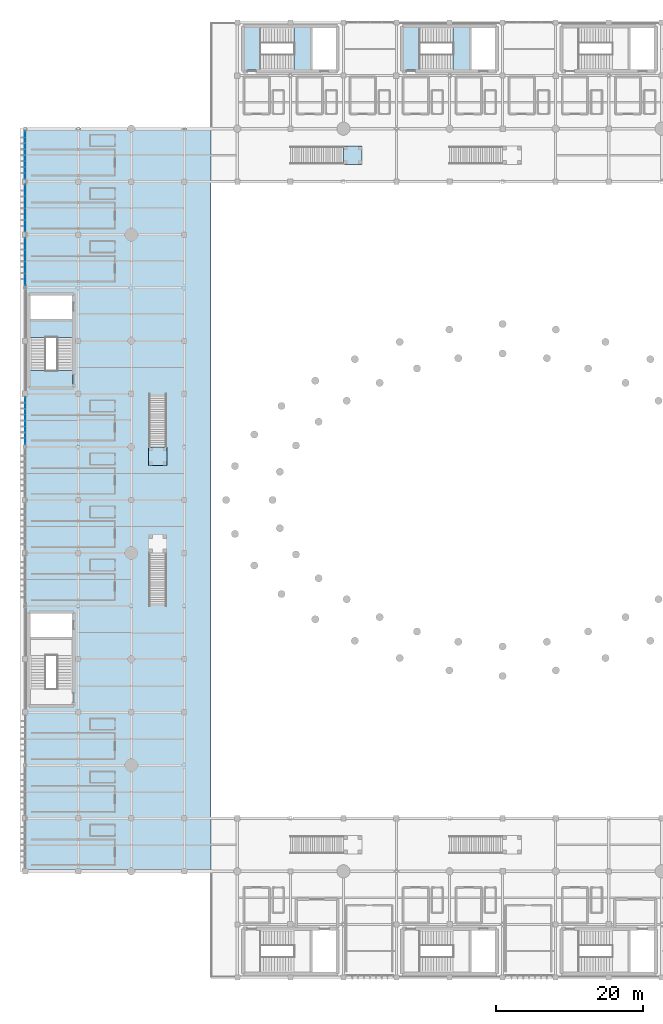
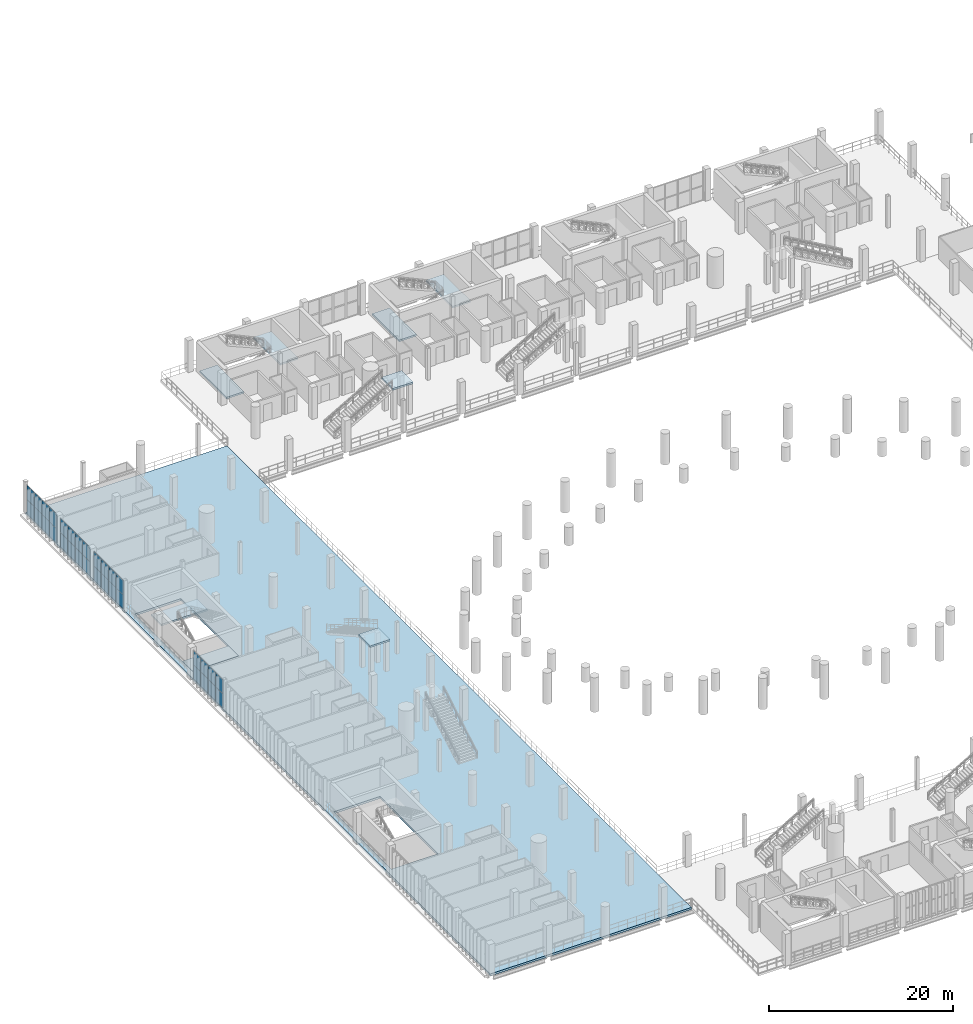
# One storey, part 93 of 130: 32 plates, 9 slabs, 9 elements without a shape of their own.
"""IFC4 building model written with IfcOpenShell, lengths in metres."""

import ifcopenshell
import ifcopenshell.guid

model = None  # the IFC model being written
_history = None  # IfcOwnerHistory: only IFC2X3 demands one
_inside = {}  # id of a spatial element -> (the spatial element, [elements in it])
_under = {}  # id of a project, library or spatial element -> (it, [spatial elements below it])
_declared = {}  # id of a project -> (the project, [libraries it declares])
_typed = {}  # id of a type object -> (the type object, [elements of that type])
_made_of = {}  # id of a material, layer set ... -> (it, [elements and type objects made of it])


def new_model(schema):
    """Start an empty IFC model of exactly this schema.

    Asked for "IFC4X3", IfcOpenShell would pick the latest addendum, in which some entities
    have other attributes; the version numbers below select the first issue.
    IFC2X3 requires an IfcOwnerHistory on every rooted entity: one is made here for all.
    """
    global model, _history
    if schema == "IFC4X3":
        model = ifcopenshell.file(schema_version=(4, 3, 0, 0))
    else:
        model = ifcopenshell.file(schema=schema)
    _inside.clear()
    _under.clear()
    _declared.clear()
    _typed.clear()
    _made_of.clear()
    _history = None
    if model.schema == "IFC2X3":
        org = make("IfcOrganization", Name="unknown")
        user = make(
            "IfcPersonAndOrganization",
            ThePerson=make("IfcPerson", FamilyName="unknown"),
            TheOrganization=org,
        )
        app = make(
            "IfcApplication",
            ApplicationDeveloper=org,
            Version="unknown",
            ApplicationFullName="unknown",
            ApplicationIdentifier="unknown",
        )
        _history = make(
            "IfcOwnerHistory",
            OwningUser=user,
            OwningApplication=app,
            ChangeAction="ADDED",
            CreationDate=0,
        )
    return model


def make(cls, **values):
    """One entity of the class cls with the attributes given. An attribute that is None is left unset."""
    return model.create_entity(
        cls, **{name: value for name, value in values.items() if value is not None}
    )


def rooted(cls, **values):
    """An entity with a GlobalId (a new one), such as an element, a storey or a relation."""
    return make(cls, GlobalId=ifcopenshell.guid.new(), OwnerHistory=_history, **values)


def si_unit(unit_type, name, prefix=None):
    """IfcSIUnit, for example si_unit("LENGTHUNIT", "METRE", prefix="MILLI")."""
    return make("IfcSIUnit", UnitType=unit_type, Prefix=prefix, Name=name)


def assignment(units):
    """IfcUnitAssignment: the units of a project."""
    return None if units is None else make("IfcUnitAssignment", Units=units)


def point(xyz):
    """IfcCartesianPoint."""
    return None if xyz is None else make("IfcCartesianPoint", Coordinates=xyz)


def direction(xyz):
    """IfcDirection."""
    return None if xyz is None else make("IfcDirection", DirectionRatios=xyz)


def frame(location, z_axis=None, x_axis=None):
    """IfcAxis2Placement3D, a coordinate frame: its origin and axes. An axis left out is left unset."""
    return make(
        "IfcAxis2Placement3D",
        Location=point(location),
        Axis=direction(z_axis),
        RefDirection=direction(x_axis),
    )


def frame_2d(location, x_axis=None):
    """IfcAxis2Placement2D, a coordinate frame in the plane: its origin and x axis."""
    return make(
        "IfcAxis2Placement2D", Location=point(location), RefDirection=direction(x_axis)
    )


def origin():
    """The frame at (0, 0, 0) with its axes left unset."""
    return frame((0.0, 0.0, 0.0))


def origin_2d():
    """The frame at (0, 0) in the plane with its x axis left unset."""
    return frame_2d((0.0, 0.0))


def place(relative_to, where):
    """IfcLocalPlacement: puts the frame where relative to a parent placement (None: the world)."""
    return make(
        "IfcLocalPlacement", PlacementRelTo=relative_to, RelativePlacement=where
    )


def context(
    kind, dimensions, precision=None, world=None, true_north=None, identifier=None
):
    """IfcGeometricRepresentationContext, for example the 3D "Model" context."""
    return make(
        "IfcGeometricRepresentationContext",
        ContextIdentifier=identifier,
        ContextType=kind,
        CoordinateSpaceDimension=dimensions,
        Precision=precision,
        WorldCoordinateSystem=world,
        TrueNorth=true_north,
    )


def subcontext(parent, identifier, kind, view, scale=None):
    """IfcGeometricRepresentationSubContext, for example "Body" below "Model"."""
    return make(
        "IfcGeometricRepresentationSubContext",
        ContextIdentifier=identifier,
        ContextType=kind,
        ParentContext=parent,
        TargetScale=scale,
        TargetView=view,
    )


def project(units=None, contexts=None):
    """IfcProject with its units and contexts."""
    return rooted(
        "IfcProject",
        Name="project",
        RepresentationContexts=contexts,
        UnitsInContext=assignment(units),
    )


def spatial(cls, under=None, at=None, **own):
    """A site, building, storey or space (cls), placed at a placement, below another one or the project."""
    s = rooted(cls, ObjectPlacement=at, **own)
    if under is not None:
        _under.setdefault(under.id(), (under, []))[1].append(s)
    return s


def polyline(points):
    """IfcPolyline through the points."""
    return make("IfcPolyline", Points=[point(p) for p in points])


def profile(cls, at=None, kind="AREA", **sizes):
    """A parametric profile (cls). Its sizes go by their IFC names, for example OverallWidth=200.0."""
    return make(cls, ProfileType=kind, Position=at, **sizes)


def rectangle(**sizes):
    """IfcRectangleProfileDef."""
    return profile("IfcRectangleProfileDef", **sizes)


def outline(outer, holes=None, kind="AREA"):
    """IfcArbitraryClosedProfileDef: a profile drawn as a closed curve; with holes, ...WithVoids."""
    if holes is None:
        return make("IfcArbitraryClosedProfileDef", ProfileType=kind, OuterCurve=outer)
    return make(
        "IfcArbitraryProfileDefWithVoids",
        ProfileType=kind,
        OuterCurve=outer,
        InnerCurves=holes,
    )


def extrude(swept, where, along, depth):
    """IfcExtrudedAreaSolid: the profile swept, set in the frame where, extruded along a direction by depth."""
    return make(
        "IfcExtrudedAreaSolid",
        SweptArea=swept,
        Position=where,
        ExtrudedDirection=direction(along),
        Depth=depth,
    )


def shape(context_of_items, identifier, shape_type, items):
    """IfcShapeRepresentation: the items that make up one representation, for example the "Body"."""
    return make(
        "IfcShapeRepresentation",
        ContextOfItems=context_of_items,
        RepresentationIdentifier=identifier,
        RepresentationType=shape_type,
        Items=items,
    )


def material(Name=None, Category=None):
    """IfcMaterial."""
    return make("IfcMaterial", Name=Name, Category=Category)


def layer(
    of_material, thickness, ventilated=None, Name=None, Category=None, Priority=None
):
    """IfcMaterialLayer: one layer of a wall or slab, of a material (None: an air gap)."""
    return make(
        "IfcMaterialLayer",
        Material=of_material,
        LayerThickness=thickness,
        IsVentilated=ventilated,
        Name=Name,
        Category=Category,
        Priority=Priority,
    )


def layer_set(layers, Name=None):
    """IfcMaterialLayerSet."""
    return make("IfcMaterialLayerSet", MaterialLayers=layers, LayerSetName=Name)


def made_of(thing, what):
    """Note that an element or type object is made of a material, layer set ...; save() writes the relation."""
    if what is not None:
        _made_of.setdefault(what.id(), (what, []))[1].append(thing)
    return thing


def type_object(cls, material=None, **own):
    """A type object (cls), such as IfcWallType, which elements share."""
    return made_of(rooted(cls, **own), material)


def element(
    cls,
    number,
    at=None,
    inside=None,
    cuts=None,
    type_object=None,
    material=None,
    context=None,
    identifier="Body",
    shape_type=None,
    held_by="IfcProductDefinitionShape",
    body=None,
    shapes=None,
    **own,
):
    """One element of the class cls, such as IfcWall. Its Tag is "e" and its number.

    at: its placement. inside: the storey or other place that contains it. cuts: it is an
    opening in that element (IfcRelVoidsElement). A single representation is given by context,
    identifier, shape_type and body (its items); several are given by shapes. held_by: the class
    of the entity that holds the representations. save() writes the other relations.
    """
    e = rooted(cls, Tag="e%d" % number, ObjectPlacement=at, **own)
    if body is not None:
        shapes = [shape(context, identifier, shape_type, body)]
    if shapes is not None:
        e.Representation = make(held_by, Representations=shapes)
    if inside is not None:
        _inside.setdefault(inside.id(), (inside, []))[1].append(e)
    if cuts is not None:
        rooted(
            "IfcRelVoidsElement", RelatingBuildingElement=cuts, RelatedOpeningElement=e
        )
    if type_object is not None:
        _typed.setdefault(type_object.id(), (type_object, []))[1].append(e)
    return made_of(e, material)


def aggregate(whole, parts):
    """IfcRelAggregates: a whole, such as a stair, and the parts it consists of."""
    return rooted("IfcRelAggregates", RelatingObject=whole, RelatedObjects=parts)


def save(model, path):
    """Write the relations noted so far, then the file.

    IfcRelAggregates (storeys below a building ...), IfcRelContainedInSpatialStructure (elements
    in a storey), IfcRelDefinesByType, IfcRelAssociatesMaterial and IfcRelDeclares: one each for
    every whole, place, type object, material and project.
    """
    for whole, parts in _under.values():
        aggregate(whole, parts)
    for where, things in _inside.values():
        rooted(
            "IfcRelContainedInSpatialStructure",
            RelatedElements=things,
            RelatingStructure=where,
        )
    for kind, things in _typed.values():
        rooted("IfcRelDefinesByType", RelatedObjects=things, RelatingType=kind)
    for what, things in _made_of.values():
        rooted("IfcRelAssociatesMaterial", RelatedObjects=things, RelatingMaterial=what)
    for by, libraries in _declared.values():
        rooted("IfcRelDeclares", RelatingContext=by, RelatedDefinitions=libraries)
    model.write(path)


model = new_model("IFC4")

# Units and contexts
model_context = context("Model", 3, precision=1e-05, world=origin(), true_north=direction((0.0, 1.0)))
body_context = subcontext(model_context, "Body", "Model", "MODEL_VIEW")
ifc_project = project(units=[si_unit("LENGTHUNIT", "METRE"), si_unit("AREAUNIT", "SQUARE_METRE"), si_unit("VOLUMEUNIT", "CUBIC_METRE"), si_unit("PLANEANGLEUNIT", "RADIAN"), si_unit("MASSUNIT", "GRAM", prefix="KILO")], contexts=[model_context])

# Site, building, storey
site_placement = place(None, origin())
site = spatial("IfcSite", under=ifc_project, at=site_placement, CompositionType="ELEMENT")
building_placement = place(site_placement, origin())
building = spatial("IfcBuilding", under=site, at=building_placement, Name="Qandorah Velis Arena", CompositionType="ELEMENT")
storey_placement = place(building_placement, frame((0.0, 0.0, 9.60009765625)))
storey = spatial("IfcBuildingStorey", under=building, at=storey_placement, Name="L02", CompositionType="ELEMENT", Elevation=9.60009765625)

# Curtain wall, plates
ifc_material_1 = material(Name="Solar-control low-E double glazing", Category="glass")
curtain_wall_type_1 = type_object("IfcCurtainWallType", Name="ARC-CW-SYS19", PredefinedType="USERDEFINED", material=ifc_material_1)
curtain_wall_1_placement = place(storey_placement, origin())
curtain_wall_1 = element("IfcCurtainWall", 1, at=curtain_wall_1_placement, inside=storey, type_object=curtain_wall_type_1, Name="Unitised curtain wall L02-019", ObjectType="UNITISED CURTAIN WALL", PredefinedType="USERDEFINED")
ifc_layer_1 = layer(ifc_material_1, 0.02392578125)
ifc_layer_set_1 = layer_set([ifc_layer_1], Name="Solar-control low-E double glazing")
plate_type_1 = type_object("IfcPlateType", Name="ARC-CWP-GLZ24", PredefinedType="CURTAIN_PANEL", material=ifc_layer_set_1)
plate_1_placement = place(storey_placement, frame((0.0, 102.01806640625, 0.0498046875), z_axis=(0.0, 0.0, 1.0), x_axis=(0.0, 1.0, 0.0)))
plate_1 = element("IfcPlate", 2, at=plate_1_placement, type_object=plate_type_1, Name="CW19 panel 1.1", PredefinedType="CURTAIN_PANEL", context=body_context, shape_type="SweptSolid", body=[
    extrude(rectangle(XDim=1.5361328125, YDim=0.02392578125, at=origin_2d()), origin(), (0.0, 0.0, 1.0), 1.8701171875),
])
plate_2_placement = place(storey_placement, frame((0.0, 102.01806640625, 1.9599609375), z_axis=(0.0, 0.0, 1.0), x_axis=(0.0, 1.0, 0.0)))
plate_2 = element("IfcPlate", 3, at=plate_2_placement, type_object=plate_type_1, Name="CW19 panel 1.2", PredefinedType="CURTAIN_PANEL", context=body_context, shape_type="SweptSolid", body=[
    extrude(rectangle(XDim=1.5361328125, YDim=0.02392578125, at=origin_2d()), origin(), (0.0, 0.0, 1.0), 1.8701171875),
])
plate_3_placement = place(storey_placement, frame((0.0, 103.609375, 0.0498046875), z_axis=(0.0, 0.0, 1.0), x_axis=(0.0, 1.0, 0.0)))
plate_3 = element("IfcPlate", 4, at=plate_3_placement, type_object=plate_type_1, Name="CW19 panel 2.1", PredefinedType="CURTAIN_PANEL", context=body_context, shape_type="SweptSolid", body=[
    extrude(rectangle(XDim=1.566162109375, YDim=0.02392578125, at=origin_2d()), origin(), (0.0, 0.0, 1.0), 1.8701171875),
])
plate_4_placement = place(storey_placement, frame((0.0, 103.609375, 1.9599609375), z_axis=(0.0, 0.0, 1.0), x_axis=(0.0, 1.0, 0.0)))
plate_4 = element("IfcPlate", 5, at=plate_4_placement, type_object=plate_type_1, Name="CW19 panel 2.2", PredefinedType="CURTAIN_PANEL", context=body_context, shape_type="SweptSolid", body=[
    extrude(rectangle(XDim=1.566162109375, YDim=0.02392578125, at=origin_2d()), origin(), (0.0, 0.0, 1.0), 1.8701171875),
])
plate_5_placement = place(storey_placement, frame((0.0, 105.215576171875, 0.0498046875), z_axis=(0.0, 0.0, 1.0), x_axis=(0.0, 1.0, 0.0)))
plate_5 = element("IfcPlate", 6, at=plate_5_placement, type_object=plate_type_1, Name="CW19 panel 3.1", PredefinedType="CURTAIN_PANEL", context=body_context, shape_type="SweptSolid", body=[
    extrude(rectangle(XDim=1.566162109375, YDim=0.02392578125, at=origin_2d()), origin(), (0.0, 0.0, 1.0), 1.8701171875),
])
plate_6_placement = place(storey_placement, frame((0.0, 105.215576171875, 1.9599609375), z_axis=(0.0, 0.0, 1.0), x_axis=(0.0, 1.0, 0.0)))
plate_6 = element("IfcPlate", 7, at=plate_6_placement, type_object=plate_type_1, Name="CW19 panel 3.2", PredefinedType="CURTAIN_PANEL", context=body_context, shape_type="SweptSolid", body=[
    extrude(rectangle(XDim=1.566162109375, YDim=0.02392578125, at=origin_2d()), origin(), (0.0, 0.0, 1.0), 1.8701171875),
])
plate_7_placement = place(storey_placement, frame((0.0, 106.806884765625, 0.0498046875), z_axis=(0.0, 0.0, 1.0), x_axis=(0.0, 1.0, 0.0)))
plate_7 = element("IfcPlate", 8, at=plate_7_placement, type_object=plate_type_1, Name="CW19 panel 4.1", PredefinedType="CURTAIN_PANEL", context=body_context, shape_type="SweptSolid", body=[
    extrude(rectangle(XDim=1.5361328125, YDim=0.02392578125, at=origin_2d()), origin(), (0.0, 0.0, 1.0), 1.8701171875),
])
plate_8_placement = place(storey_placement, frame((0.0, 106.806884765625, 1.9599609375), z_axis=(0.0, 0.0, 1.0), x_axis=(0.0, 1.0, 0.0)))
plate_8 = element("IfcPlate", 9, at=plate_8_placement, type_object=plate_type_1, Name="CW19 panel 4.2", PredefinedType="CURTAIN_PANEL", context=body_context, shape_type="SweptSolid", body=[
    extrude(rectangle(XDim=1.5361328125, YDim=0.02392578125, at=origin_2d()), origin(), (0.0, 0.0, 1.0), 1.8701171875),
])
aggregate(curtain_wall_1, [plate_1, plate_2, plate_3, plate_4, plate_5, plate_6, plate_7, plate_8])

curtain_wall_type_2 = type_object("IfcCurtainWallType", Name="ARC-CW-SYS18", PredefinedType="USERDEFINED", material=ifc_material_1)
curtain_wall_2_placement = place(storey_placement, origin())
curtain_wall_2 = element("IfcCurtainWall", 10, at=curtain_wall_2_placement, inside=storey, type_object=curtain_wall_type_2, Name="Unitised curtain wall L02-018", ObjectType="UNITISED CURTAIN WALL", PredefinedType="USERDEFINED")
ifc_layer_2 = layer(ifc_material_1, 0.028076171875)
ifc_layer_set_2 = layer_set([ifc_layer_2], Name="Solar-control low-E double glazing")
plate_type_2 = type_object("IfcPlateType", Name="ARC-CWP-GLZ28", PredefinedType="CURTAIN_PANEL", material=ifc_layer_set_2)
plate_9_placement = place(storey_placement, frame((0.0, 94.728759765625, 0.0546875), z_axis=(0.0, 0.0, 1.0), x_axis=(0.0, 1.0, 0.0)))
plate_9 = element("IfcPlate", 11, at=plate_9_placement, type_object=plate_type_2, Name="CW18 panel 1.1", PredefinedType="CURTAIN_PANEL", context=body_context, shape_type="SweptSolid", body=[
    extrude(rectangle(XDim=1.547607421875, YDim=0.028076171875, at=origin_2d()), origin(), (0.0, 0.0, 1.0), 1.862548828125),
])
plate_10_placement = place(storey_placement, frame((0.0, 94.728759765625, 1.96240234375), z_axis=(0.0, 0.0, 1.0), x_axis=(0.0, 1.0, 0.0)))
plate_10 = element("IfcPlate", 12, at=plate_10_placement, type_object=plate_type_2, Name="CW18 panel 1.2", PredefinedType="CURTAIN_PANEL", context=body_context, shape_type="SweptSolid", body=[
    extrude(rectangle(XDim=1.547607421875, YDim=0.028076171875, at=origin_2d()), origin(), (0.0, 0.0, 1.0), 1.862548828125),
])
plate_11_placement = place(storey_placement, frame((0.0, 96.33740234375, 0.0546875), z_axis=(0.0, 0.0, 1.0), x_axis=(0.0, 1.0, 0.0)))
plate_11 = element("IfcPlate", 13, at=plate_11_placement, type_object=plate_type_2, Name="CW18 panel 2.1", PredefinedType="CURTAIN_PANEL", context=body_context, shape_type="SweptSolid", body=[
    extrude(rectangle(XDim=1.580078125, YDim=0.028076171875, at=origin_2d()), origin(), (0.0, 0.0, 1.0), 1.862548828125),
])
plate_12_placement = place(storey_placement, frame((0.0, 96.33740234375, 1.96240234375), z_axis=(0.0, 0.0, 1.0), x_axis=(0.0, 1.0, 0.0)))
plate_12 = element("IfcPlate", 14, at=plate_12_placement, type_object=plate_type_2, Name="CW18 panel 2.2", PredefinedType="CURTAIN_PANEL", context=body_context, shape_type="SweptSolid", body=[
    extrude(rectangle(XDim=1.580078125, YDim=0.028076171875, at=origin_2d()), origin(), (0.0, 0.0, 1.0), 1.862548828125),
])
plate_13_placement = place(storey_placement, frame((0.0, 97.96240234375, 0.0546875), z_axis=(0.0, 0.0, 1.0), x_axis=(0.0, 1.0, 0.0)))
plate_13 = element("IfcPlate", 15, at=plate_13_placement, type_object=plate_type_2, Name="CW18 panel 3.1", PredefinedType="CURTAIN_PANEL", context=body_context, shape_type="SweptSolid", body=[
    extrude(rectangle(XDim=1.580078125, YDim=0.028076171875, at=origin_2d()), origin(), (0.0, 0.0, 1.0), 1.862548828125),
])
plate_14_placement = place(storey_placement, frame((0.0, 97.96240234375, 1.96240234375), z_axis=(0.0, 0.0, 1.0), x_axis=(0.0, 1.0, 0.0)))
plate_14 = element("IfcPlate", 16, at=plate_14_placement, type_object=plate_type_2, Name="CW18 panel 3.2", PredefinedType="CURTAIN_PANEL", context=body_context, shape_type="SweptSolid", body=[
    extrude(rectangle(XDim=1.580078125, YDim=0.028076171875, at=origin_2d()), origin(), (0.0, 0.0, 1.0), 1.862548828125),
])
plate_15_placement = place(storey_placement, frame((0.0, 99.5712890625, 0.0546875), z_axis=(0.0, 0.0, 1.0), x_axis=(0.0, 1.0, 0.0)))
plate_15 = element("IfcPlate", 17, at=plate_15_placement, type_object=plate_type_2, Name="CW18 panel 4.1", PredefinedType="CURTAIN_PANEL", context=body_context, shape_type="SweptSolid", body=[
    extrude(rectangle(XDim=1.547607421875, YDim=0.028076171875, at=origin_2d()), origin(), (0.0, 0.0, 1.0), 1.862548828125),
])
plate_16_placement = place(storey_placement, frame((0.0, 99.5712890625, 1.96240234375), z_axis=(0.0, 0.0, 1.0), x_axis=(0.0, 1.0, 0.0)))
plate_16 = element("IfcPlate", 18, at=plate_16_placement, type_object=plate_type_2, Name="CW18 panel 4.2", PredefinedType="CURTAIN_PANEL", context=body_context, shape_type="SweptSolid", body=[
    extrude(rectangle(XDim=1.547607421875, YDim=0.028076171875, at=origin_2d()), origin(), (0.0, 0.0, 1.0), 1.862548828125),
])
aggregate(curtain_wall_2, [plate_9, plate_10, plate_11, plate_12, plate_13, plate_14, plate_15, plate_16])

curtain_wall_type_3 = type_object("IfcCurtainWallType", Name="ARC-CW-SYS17", PredefinedType="USERDEFINED", material=ifc_material_1)
curtain_wall_3_placement = place(storey_placement, origin())
curtain_wall_3 = element("IfcCurtainWall", 19, at=curtain_wall_3_placement, inside=storey, type_object=curtain_wall_type_3, Name="Unitised curtain wall L02-017", ObjectType="UNITISED CURTAIN WALL", PredefinedType="USERDEFINED")
ifc_layer_3 = layer(ifc_material_1, 0.030029296875)
ifc_layer_set_3 = layer_set([ifc_layer_3], Name="Solar-control low-E double glazing")
plate_type_3 = type_object("IfcPlateType", Name="ARC-CWP-GLZ30", PredefinedType="CURTAIN_PANEL", material=ifc_layer_set_3)
plate_17_placement = place(storey_placement, frame((0.0, 73.13134765625, 0.06494140625), z_axis=(0.0, 0.0, 1.0), x_axis=(0.0, 1.0, 0.0)))
plate_17 = element("IfcPlate", 20, at=plate_17_placement, type_object=plate_type_3, Name="CW17 panel 1.1", PredefinedType="CURTAIN_PANEL", context=body_context, shape_type="SweptSolid", body=[
    extrude(rectangle(XDim=1.532470703125, YDim=0.030029296875, at=origin_2d()), origin(), (0.0, 0.0, 1.0), 1.847412109375),
])
plate_18_placement = place(storey_placement, frame((0.0, 73.13134765625, 1.96728515625), z_axis=(0.0, 0.0, 1.0), x_axis=(0.0, 1.0, 0.0)))
plate_18 = element("IfcPlate", 21, at=plate_18_placement, type_object=plate_type_3, Name="CW17 panel 1.2", PredefinedType="CURTAIN_PANEL", context=body_context, shape_type="SweptSolid", body=[
    extrude(rectangle(XDim=1.532470703125, YDim=0.030029296875, at=origin_2d()), origin(), (0.0, 0.0, 1.0), 1.847412109375),
])
plate_19_placement = place(storey_placement, frame((0.0, 74.737548828125, 0.06494140625), z_axis=(0.0, 0.0, 1.0), x_axis=(0.0, 1.0, 0.0)))
plate_19 = element("IfcPlate", 22, at=plate_19_placement, type_object=plate_type_3, Name="CW17 panel 2.1", PredefinedType="CURTAIN_PANEL", context=body_context, shape_type="SweptSolid", body=[
    extrude(rectangle(XDim=1.570068359375, YDim=0.030029296875, at=origin_2d()), origin(), (0.0, 0.0, 1.0), 1.847412109375),
])
plate_20_placement = place(storey_placement, frame((0.0, 74.737548828125, 1.96728515625), z_axis=(0.0, 0.0, 1.0), x_axis=(0.0, 1.0, 0.0)))
plate_20 = element("IfcPlate", 23, at=plate_20_placement, type_object=plate_type_3, Name="CW17 panel 2.2", PredefinedType="CURTAIN_PANEL", context=body_context, shape_type="SweptSolid", body=[
    extrude(rectangle(XDim=1.570068359375, YDim=0.030029296875, at=origin_2d()), origin(), (0.0, 0.0, 1.0), 1.847412109375),
])
plate_21_placement = place(storey_placement, frame((0.0, 76.362548828125, 0.06494140625), z_axis=(0.0, 0.0, 1.0), x_axis=(0.0, 1.0, 0.0)))
plate_21 = element("IfcPlate", 24, at=plate_21_placement, type_object=plate_type_3, Name="CW17 panel 3.1", PredefinedType="CURTAIN_PANEL", context=body_context, shape_type="SweptSolid", body=[
    extrude(rectangle(XDim=1.570068359375, YDim=0.030029296875, at=origin_2d()), origin(), (0.0, 0.0, 1.0), 1.847412109375),
])
plate_22_placement = place(storey_placement, frame((0.0, 76.362548828125, 1.96728515625), z_axis=(0.0, 0.0, 1.0), x_axis=(0.0, 1.0, 0.0)))
plate_22 = element("IfcPlate", 25, at=plate_22_placement, type_object=plate_type_3, Name="CW17 panel 3.2", PredefinedType="CURTAIN_PANEL", context=body_context, shape_type="SweptSolid", body=[
    extrude(rectangle(XDim=1.570068359375, YDim=0.030029296875, at=origin_2d()), origin(), (0.0, 0.0, 1.0), 1.847412109375),
])
plate_23_placement = place(storey_placement, frame((0.0, 77.96875, 0.06494140625), z_axis=(0.0, 0.0, 1.0), x_axis=(0.0, 1.0, 0.0)))
plate_23 = element("IfcPlate", 26, at=plate_23_placement, type_object=plate_type_3, Name="CW17 panel 4.1", PredefinedType="CURTAIN_PANEL", context=body_context, shape_type="SweptSolid", body=[
    extrude(rectangle(XDim=1.532470703125, YDim=0.030029296875, at=origin_2d()), origin(), (0.0, 0.0, 1.0), 1.847412109375),
])
plate_24_placement = place(storey_placement, frame((0.0, 77.96875, 1.96728515625), z_axis=(0.0, 0.0, 1.0), x_axis=(0.0, 1.0, 0.0)))
plate_24 = element("IfcPlate", 27, at=plate_24_placement, type_object=plate_type_3, Name="CW17 panel 4.2", PredefinedType="CURTAIN_PANEL", context=body_context, shape_type="SweptSolid", body=[
    extrude(rectangle(XDim=1.532470703125, YDim=0.030029296875, at=origin_2d()), origin(), (0.0, 0.0, 1.0), 1.847412109375),
])
aggregate(curtain_wall_3, [plate_17, plate_18, plate_19, plate_20, plate_21, plate_22, plate_23, plate_24])

curtain_wall_type_4 = type_object("IfcCurtainWallType", Name="ARC-CW-SYS20", PredefinedType="USERDEFINED", material=ifc_material_1)
curtain_wall_4_placement = place(storey_placement, origin())
curtain_wall_4 = element("IfcCurtainWall", 28, at=curtain_wall_4_placement, inside=storey, type_object=curtain_wall_type_4, Name="Unitised curtain wall L02-020", ObjectType="UNITISED CURTAIN WALL", PredefinedType="USERDEFINED")
ifc_layer_4 = layer(ifc_material_1, 0.0439453125)
ifc_layer_set_4 = layer_set([ifc_layer_4], Name="Solar-control low-E double glazing")
plate_type_4 = type_object("IfcPlateType", Name="ARC-CWP-SPN44", PredefinedType="CURTAIN_PANEL", material=ifc_layer_set_4)
plate_25_placement = place(storey_placement, frame((0.0, 109.204345703125, 0.044921875), z_axis=(0.0, 0.0, 1.0), x_axis=(0.0, 1.0, 0.0)))
plate_25 = element("IfcPlate", 29, at=plate_25_placement, type_object=plate_type_4, Name="CW20 panel 1.1", PredefinedType="CURTAIN_PANEL", context=body_context, shape_type="SweptSolid", body=[
    extrude(rectangle(XDim=1.56884765625, YDim=0.0439453125, at=origin_2d()), origin(), (0.0, 0.0, 1.0), 1.87744140625),
])
plate_26_placement = place(storey_placement, frame((0.0, 109.204345703125, 1.95751953125), z_axis=(0.0, 0.0, 1.0), x_axis=(0.0, 1.0, 0.0)))
plate_26 = element("IfcPlate", 30, at=plate_26_placement, type_object=plate_type_4, Name="CW20 panel 1.2", PredefinedType="CURTAIN_PANEL", context=body_context, shape_type="SweptSolid", body=[
    extrude(rectangle(XDim=1.56884765625, YDim=0.0439453125, at=origin_2d()), origin(), (0.0, 0.0, 1.0), 1.87744140625),
])
plate_27_placement = place(storey_placement, frame((0.0, 110.82177734375, 0.044921875), z_axis=(0.0, 0.0, 1.0), x_axis=(0.0, 1.0, 0.0)))
plate_27 = element("IfcPlate", 31, at=plate_27_placement, type_object=plate_type_4, Name="CW20 panel 2.1", PredefinedType="CURTAIN_PANEL", context=body_context, shape_type="SweptSolid", body=[
    extrude(rectangle(XDim=1.59619140625, YDim=0.0439453125, at=origin_2d()), origin(), (0.0, 0.0, 1.0), 1.87744140625),
])
plate_28_placement = place(storey_placement, frame((0.0, 110.82177734375, 1.95751953125), z_axis=(0.0, 0.0, 1.0), x_axis=(0.0, 1.0, 0.0)))
plate_28 = element("IfcPlate", 32, at=plate_28_placement, type_object=plate_type_4, Name="CW20 panel 2.2", PredefinedType="CURTAIN_PANEL", context=body_context, shape_type="SweptSolid", body=[
    extrude(rectangle(XDim=1.59619140625, YDim=0.0439453125, at=origin_2d()), origin(), (0.0, 0.0, 1.0), 1.87744140625),
])
plate_29_placement = place(storey_placement, frame((0.0, 112.453125, 0.044921875), z_axis=(0.0, 0.0, 1.0), x_axis=(0.0, 1.0, 0.0)))
plate_29 = element("IfcPlate", 33, at=plate_29_placement, type_object=plate_type_4, Name="CW20 panel 3.1", PredefinedType="CURTAIN_PANEL", context=body_context, shape_type="SweptSolid", body=[
    extrude(rectangle(XDim=1.59619140625, YDim=0.0439453125, at=origin_2d()), origin(), (0.0, 0.0, 1.0), 1.87744140625),
])
plate_30_placement = place(storey_placement, frame((0.0, 112.453125, 1.95751953125), z_axis=(0.0, 0.0, 1.0), x_axis=(0.0, 1.0, 0.0)))
plate_30 = element("IfcPlate", 34, at=plate_30_placement, type_object=plate_type_4, Name="CW20 panel 3.2", PredefinedType="CURTAIN_PANEL", context=body_context, shape_type="SweptSolid", body=[
    extrude(rectangle(XDim=1.59619140625, YDim=0.0439453125, at=origin_2d()), origin(), (0.0, 0.0, 1.0), 1.87744140625),
])
plate_31_placement = place(storey_placement, frame((0.0, 114.070556640625, 0.044921875), z_axis=(0.0, 0.0, 1.0), x_axis=(0.0, 1.0, 0.0)))
plate_31 = element("IfcPlate", 35, at=plate_31_placement, type_object=plate_type_4, Name="CW20 panel 4.1", PredefinedType="CURTAIN_PANEL", context=body_context, shape_type="SweptSolid", body=[
    extrude(rectangle(XDim=1.56884765625, YDim=0.0439453125, at=origin_2d()), origin(), (0.0, 0.0, 1.0), 1.87744140625),
])
plate_32_placement = place(storey_placement, frame((0.0, 114.070556640625, 1.95751953125), z_axis=(0.0, 0.0, 1.0), x_axis=(0.0, 1.0, 0.0)))
plate_32 = element("IfcPlate", 36, at=plate_32_placement, type_object=plate_type_4, Name="CW20 panel 4.2", PredefinedType="CURTAIN_PANEL", context=body_context, shape_type="SweptSolid", body=[
    extrude(rectangle(XDim=1.56884765625, YDim=0.0439453125, at=origin_2d()), origin(), (0.0, 0.0, 1.0), 1.87744140625),
])
aggregate(curtain_wall_4, [plate_25, plate_26, plate_27, plate_28, plate_29, plate_30, plate_31, plate_32])

# Slabs
ifc_material_2 = material(Name="Concrete C40/50", Category="concrete")
ifc_layer_5 = layer(ifc_material_2, 0.280029296875)
ifc_layer_set_5 = layer_set([ifc_layer_5], Name="Concrete C40/50")
slab_type_1 = type_object("IfcSlabType", Name="STR-SLB-FL280", PredefinedType="FLOOR", material=ifc_layer_set_5)
slab_1_placement = place(storey_placement, frame((0.0, 0.0, -0.280029296875)))
element("IfcSlab", 37, at=slab_1_placement, inside=storey, type_object=slab_type_1, Name="Structural floor slab L02_WEST_SUITES", PredefinedType="FLOOR", context=body_context, shape_type="SweptSolid", body=[
    extrude(outline(polyline([(25.199951171875, 14.39990234375), (0.0, 14.39990234375), (0.0, 115.199951171875), (25.199951171875, 115.199951171875), (25.199951171875, 14.39990234375)]), holes=[polyline([(6.455078125, 36.945068359375), (6.455078125, 39.155029296875), (6.455078125, 49.455078125), (0.64501953125, 49.455078125), (0.64501953125, 39.155029296875), (0.64501953125, 36.945068359375), (6.455078125, 36.945068359375)]), polyline([(0.64501953125, 80.14501953125), (6.455078125, 80.14501953125), (6.455078125, 82.35498046875), (6.455078125, 92.655029296875), (0.64501953125, 92.655029296875), (0.64501953125, 82.35498046875), (0.64501953125, 80.14501953125)])]), origin(), (0.0, 0.0, 1.0), 0.280029296875),
])
ifc_layer_6 = layer(ifc_material_2, 0.219970703125)
ifc_layer_set_6 = layer_set([ifc_layer_6], Name="Concrete C40/50")
slab_type_2 = type_object("IfcSlabType", Name="STR-SLB-LND220", PredefinedType="LANDING", material=ifc_layer_set_6)
slab_2_placement = place(storey_placement, frame((0.0, 0.0, -0.22021484375)))
element("IfcSlab", 38, at=slab_2_placement, inside=storey, type_object=slab_type_2, Name="Stair ST3 storey landing slab L02", PredefinedType="LANDING", context=body_context, shape_type="SweptSolid", body=[
    extrude(outline(polyline([(29.75, 123.14990234375), (31.949951171875, 123.14990234375), (31.949951171875, 128.949951171875), (29.75, 128.949951171875), (29.75, 123.14990234375)])), origin(), (0.0, 0.0, 1.0), 0.22021484375),
])

# Stair, slab
stair_type_1 = type_object("IfcStairType", Name="ARC-ST-CORE42", PredefinedType="HALF_TURN_STAIR", material=ifc_material_2)
stair_1_placement = place(storey_placement, origin())
stair_1 = element("IfcStair", 39, at=stair_1_placement, inside=storey, type_object=stair_type_1, Name="Protected exit stair ST3 (L02)", PredefinedType="HALF_TURN_STAIR")
slab_3_placement = place(storey_placement, frame((0.0, 0.0, 1.8798828125)))
slab_3 = element("IfcSlab", 40, at=slab_3_placement, type_object=slab_type_2, Name="ST3 landing 1", PredefinedType="LANDING", context=body_context, shape_type="SweptSolid", body=[
    extrude(outline(polyline([(36.486083984375, 123.14990234375), (38.736083984375, 123.14990234375), (38.736083984375, 128.949951171875), (36.486083984375, 128.949951171875), (36.486083984375, 123.14990234375)])), origin(), (0.0, 0.0, 1.0), 0.219970703125),
])
aggregate(stair_1, [slab_3])

# Slab
slab_4_placement = place(storey_placement, frame((0.0, 0.0, -0.22021484375)))
element("IfcSlab", 41, at=slab_4_placement, inside=storey, type_object=slab_type_2, Name="Stair ST6 storey landing slab L02", PredefinedType="LANDING", context=body_context, shape_type="SweptSolid", body=[
    extrude(outline(polyline([(0.64990234375, 80.14990234375), (6.449951171875, 80.14990234375), (6.449951171875, 82.35009765625), (0.64990234375, 82.35009765625), (0.64990234375, 80.14990234375)])), origin(), (0.0, 0.0, 1.0), 0.22021484375),
])

# Stair, slab
stair_2_placement = place(storey_placement, origin())
stair_2 = element("IfcStair", 42, at=stair_2_placement, inside=storey, type_object=stair_type_1, Name="Protected exit stair ST6 (L02)", PredefinedType="HALF_TURN_STAIR")
slab_5_placement = place(storey_placement, frame((0.0, 0.0, 1.8798828125)))
slab_5 = element("IfcSlab", 43, at=slab_5_placement, type_object=slab_type_2, Name="ST6 landing 1", PredefinedType="LANDING", context=body_context, shape_type="SweptSolid", body=[
    extrude(outline(polyline([(0.64990234375, 86.885986328125), (6.449951171875, 86.885986328125), (6.449951171875, 89.135986328125), (0.64990234375, 89.135986328125), (0.64990234375, 86.885986328125)])), origin(), (0.0, 0.0, 1.0), 0.219970703125),
])
aggregate(stair_2, [slab_5])

# Slab
slab_6_placement = place(storey_placement, frame((0.0, 0.0, -0.22021484375)))
element("IfcSlab", 44, at=slab_6_placement, inside=storey, type_object=slab_type_2, Name="Stair ST10 storey landing slab L02", PredefinedType="LANDING", context=body_context, shape_type="SweptSolid", body=[
    extrude(outline(polyline([(51.35009765625, 123.14990234375), (53.550048828125, 123.14990234375), (53.550048828125, 128.949951171875), (51.35009765625, 128.949951171875), (51.35009765625, 123.14990234375)])), origin(), (0.0, 0.0, 1.0), 0.22021484375),
])

# Stair, slab
stair_3_placement = place(storey_placement, origin())
stair_3 = element("IfcStair", 45, at=stair_3_placement, inside=storey, type_object=stair_type_1, Name="Protected exit stair ST10 (L02)", PredefinedType="HALF_TURN_STAIR")
slab_7_placement = place(storey_placement, frame((0.0, 0.0, 1.8798828125)))
slab_7 = element("IfcSlab", 46, at=slab_7_placement, type_object=slab_type_2, Name="ST10 landing 1", PredefinedType="LANDING", context=body_context, shape_type="SweptSolid", body=[
    extrude(outline(polyline([(58.0859375, 123.14990234375), (60.3359375, 123.14990234375), (60.3359375, 128.949951171875), (58.0859375, 128.949951171875), (58.0859375, 123.14990234375)])), origin(), (0.0, 0.0, 1.0), 0.219970703125),
])
aggregate(stair_3, [slab_7])

stair_type_2 = type_object("IfcStairType", Name="ARC-ST-VOM2400", PredefinedType="STRAIGHT_RUN_STAIR", material=ifc_material_2)
stair_4_placement = place(storey_placement, origin())
stair_4 = element("IfcStair", 47, at=stair_4_placement, inside=storey, type_object=stair_type_2, Name="Spectator vomitory stair VS12 (L02)", PredefinedType="STRAIGHT_RUN_STAIR")
slab_8_placement = place(storey_placement, frame((0.0, 0.0, 3.9599609375)))
slab_8 = element("IfcSlab", 48, at=slab_8_placement, type_object=slab_type_2, Name="VS12 landing 1", PredefinedType="LANDING", context=body_context, shape_type="SweptSolid", body=[
    extrude(outline(polyline([(43.199951171875, 110.35009765625), (45.75, 110.35009765625), (45.75, 112.85009765625), (43.199951171875, 112.85009765625), (43.199951171875, 110.35009765625)])), origin(), (0.0, 0.0, 1.0), 0.239990234375),
])
aggregate(stair_4, [slab_8])

stair_5_placement = place(storey_placement, origin())
stair_5 = element("IfcStair", 49, at=stair_5_placement, inside=storey, type_object=stair_type_2, Name="Spectator vomitory stair VS16 (L02)", PredefinedType="STRAIGHT_RUN_STAIR")
slab_9_placement = place(storey_placement, frame((0.0, 0.0, 3.9599609375)))
slab_9 = element("IfcSlab", 50, at=slab_9_placement, type_object=slab_type_2, Name="VS16 landing 1", PredefinedType="LANDING", context=body_context, shape_type="SweptSolid", body=[
    extrude(outline(polyline([(16.75, 69.449951171875), (19.25, 69.449951171875), (19.25, 72.0), (16.75, 72.0), (16.75, 69.449951171875)])), origin(), (0.0, 0.0, 1.0), 0.239990234375),
])
aggregate(stair_5, [slab_9])

save(model, "model.ifc")
